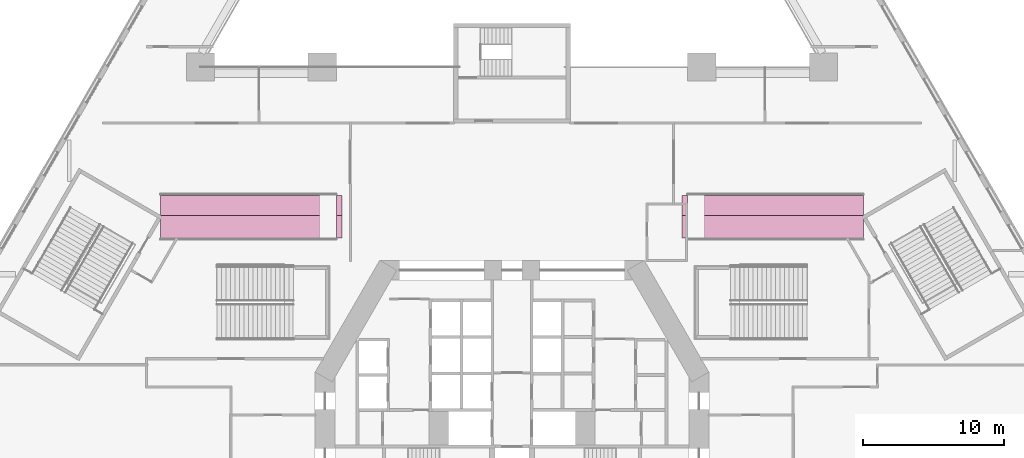
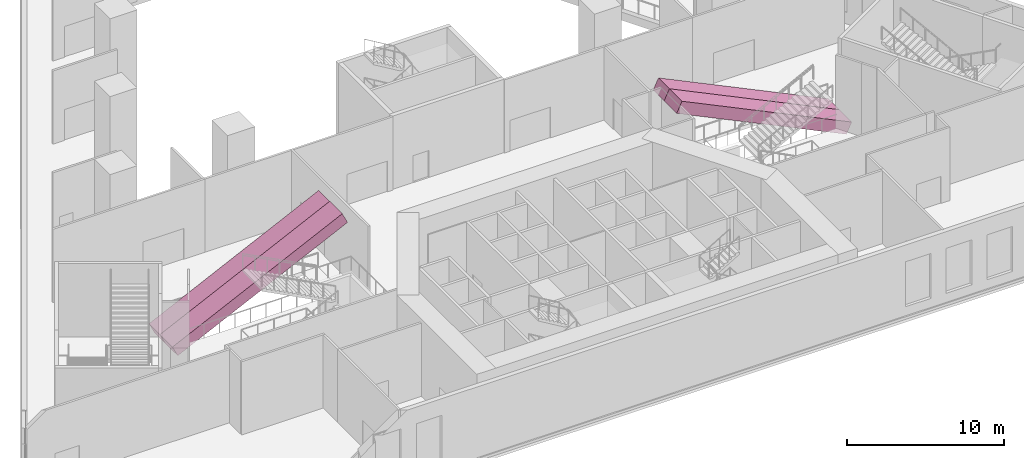
# One storey, part 16 of 16: 4 transport elements.
"""IFC4 building model written with IfcOpenShell, lengths in metres."""

from ifc_helpers import new_model, si_unit, direction, frame, origin, place, context, subcontext, project, spatial, polyline, outline, extrude, material, type_object, element, save


model = new_model("IFC4")

# Units and contexts
model_context = context("Model", 3, precision=1e-05, world=origin(), true_north=direction((0.0, 1.0)))
body_context = subcontext(model_context, "Body", "Model", "MODEL_VIEW")
ifc_project = project(units=[si_unit("LENGTHUNIT", "METRE"), si_unit("AREAUNIT", "SQUARE_METRE"), si_unit("VOLUMEUNIT", "CUBIC_METRE"), si_unit("PLANEANGLEUNIT", "RADIAN"), si_unit("MASSUNIT", "GRAM", prefix="KILO")], contexts=[model_context])

# Site, building, storey
site_placement = place(None, origin())
site = spatial("IfcSite", under=ifc_project, at=site_placement, CompositionType="ELEMENT")
building_placement = place(site_placement, origin())
building = spatial("IfcBuilding", under=site, at=building_placement, Name="Fogline Exchange Tower", CompositionType="ELEMENT")
storey_placement = place(building_placement, frame((0.0, 0.0, 14.0)))
storey = spatial("IfcBuildingStorey", under=building, at=storey_placement, Name="L02", CompositionType="ELEMENT", Elevation=14.0)

# Transport elements
ifc_material = material(Name="Steel Q235B", Category="steel")
transport_element_type = type_object("IfcTransportElementType", Name="PE1", PredefinedType="ESCALATOR", material=ifc_material)
transport_element_1_placement = place(storey_placement, frame((-25.0, 20.60009765625, 0.0), z_axis=(-0.432731067585, 0.0, 0.901523057468), x_axis=(0.0, 1.0, 0.0)))
element("IfcTransportElement", 1, at=transport_element_1_placement, inside=storey, type_object=transport_element_type, Name="Escalator up", PredefinedType="ESCALATOR", context=body_context, shape_type="SweptSolid", body=[
    extrude(outline(polyline([(0.0, 0.0), (1.599853515625, 0.0), (1.599853515625, -13.865424623862047), (0.0, -13.865424623862047), (0.0, 0.0)])), origin(), (0.0, 0.0, -1.0), 0.89990234375),
])
transport_element_2_placement = place(storey_placement, frame((-25.0, 22.199951171875, 0.0), z_axis=(-0.432731067585, 0.0, 0.901523057468), x_axis=(0.0, 1.0, 0.0)))
element("IfcTransportElement", 2, at=transport_element_2_placement, inside=storey, type_object=transport_element_type, Name="Escalator down", PredefinedType="ESCALATOR", context=body_context, shape_type="SweptSolid", body=[
    extrude(outline(polyline([(0.0, 0.0), (1.400146484375, 0.0), (1.400146484375, -13.865424623862047), (0.0, -13.865424623862047), (0.0, 0.0)])), origin(), (0.0, 0.0, -1.0), 0.89990234375),
])
transport_element_3_placement = place(storey_placement, frame((25.0, 20.60009765625, 0.0), z_axis=(0.432731067585, 0.0, 0.901523057468), x_axis=(0.0, 1.0, 0.0)))
element("IfcTransportElement", 3, at=transport_element_3_placement, inside=storey, type_object=transport_element_type, Name="Escalator up", PredefinedType="ESCALATOR", context=body_context, shape_type="SweptSolid", body=[
    extrude(outline(polyline([(0.0, 0.0), (1.599853515625, 0.0), (1.599853515625, 13.865424623862047), (0.0, 13.865424623862047), (0.0, 0.0)])), origin(), (0.0, 0.0, -1.0), 0.89990234375),
])
transport_element_4_placement = place(storey_placement, frame((25.0, 22.199951171875, 0.0), z_axis=(0.432731067585, 0.0, 0.901523057468), x_axis=(0.0, 1.0, 0.0)))
element("IfcTransportElement", 4, at=transport_element_4_placement, inside=storey, type_object=transport_element_type, Name="Escalator down", PredefinedType="ESCALATOR", context=body_context, shape_type="SweptSolid", body=[
    extrude(outline(polyline([(0.0, 0.0), (1.400146484375, 0.0), (1.400146484375, 13.865424623862047), (0.0, 13.865424623862047), (0.0, 0.0)])), origin(), (0.0, 0.0, -1.0), 0.89990234375),
])

save(model, "model.ifc")
